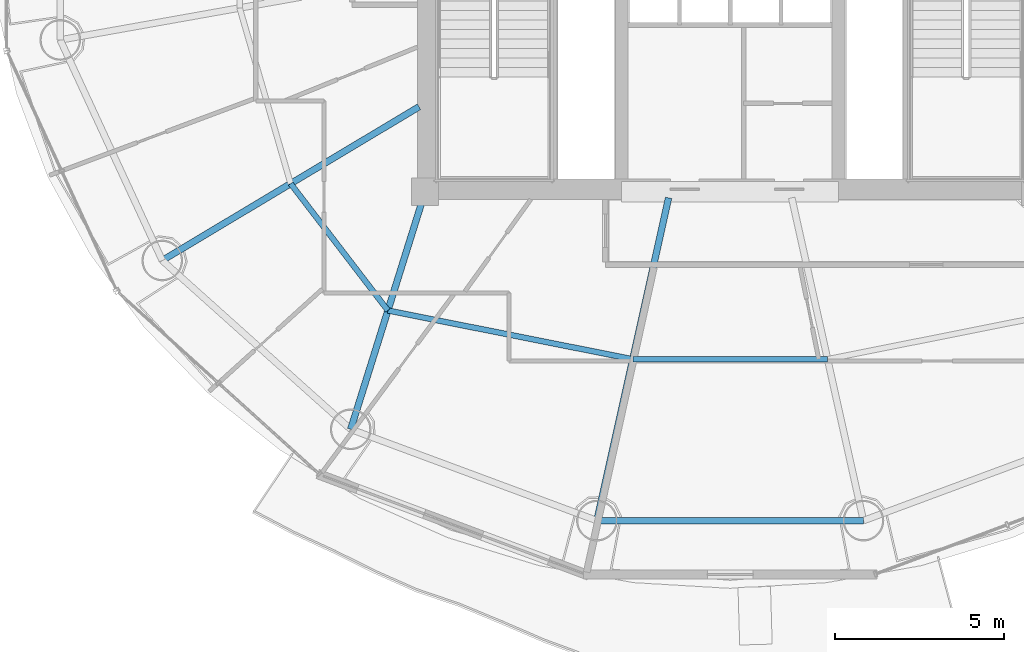
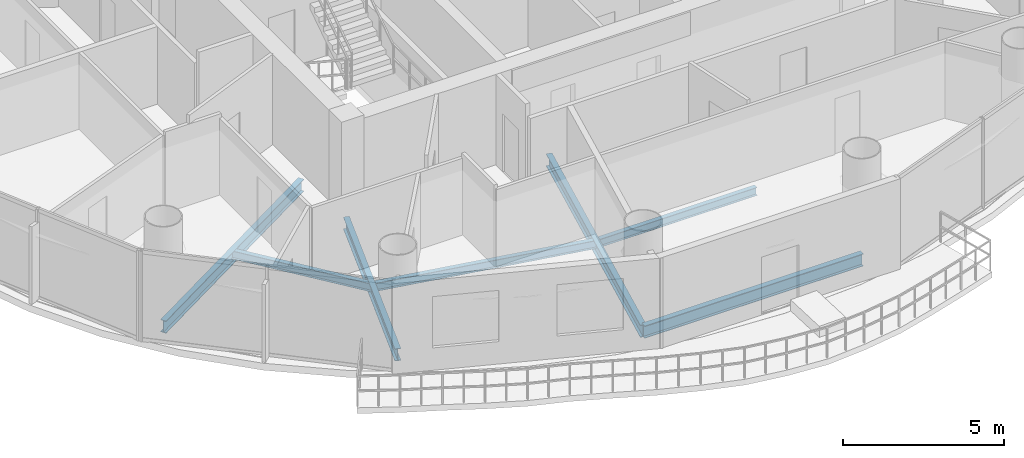
# One storey, part 4 of 26: 7 beams.
"""IFC4 building model written with IfcOpenShell, lengths in metres."""

from ifc_helpers import new_model, si_unit, direction, frame, origin, origin_2d, place, context, subcontext, project, spatial, i_section, extrude, material, material_profile, profile_set, type_object, element, save


model = new_model("IFC4")

# Units and contexts
model_context = context("Model", 3, precision=1e-05, world=origin(), true_north=direction((-0.2419218956, 0.970295726276)))
body_context = subcontext(model_context, "Body", "Model", "MODEL_VIEW")
ifc_project = project(units=[si_unit("LENGTHUNIT", "METRE"), si_unit("AREAUNIT", "SQUARE_METRE"), si_unit("VOLUMEUNIT", "CUBIC_METRE"), si_unit("PLANEANGLEUNIT", "RADIAN"), si_unit("MASSUNIT", "GRAM", prefix="KILO")], contexts=[model_context])

# Site, building, storey
site_placement = place(None, origin())
site = spatial("IfcSite", under=ifc_project, at=site_placement, CompositionType="ELEMENT")
building_placement = place(site_placement, origin())
building = spatial("IfcBuilding", under=site, at=building_placement, Name="Cobrevalo Terracotta Tower", CompositionType="ELEMENT")
storey_placement = place(building_placement, frame((0.0, 0.0, 220.800048828125)))
storey = spatial("IfcBuildingStorey", under=building, at=storey_placement, Name="L58", CompositionType="ELEMENT", Elevation=220.800048828125)

# Beams
ifc_material = material(Name="Steel S355", Category="steel")
ifc_material_profile_1 = material_profile(ifc_material, i_section(OverallWidth=0.194091796875, OverallDepth=0.468994140625, WebThickness=0.011474609375, FlangeThickness=0.0205078125, at=origin_2d()), Name="W 460x106")
ifc_profile_set_1 = profile_set([ifc_material_profile_1], Name="Steel S355")
beam_type_1 = type_object("IfcBeamType", Name="Structural Beam W 460x106 (Steel S355)", PredefinedType="BEAM", material=ifc_profile_set_1)
beam_1_placement = place(storey_placement, frame((21.245849609375, 16.77197265625, -0.49951171875), z_axis=(0.858046392192, 0.513572184651, 0.0), x_axis=(-0.513572184651, 0.858046392192, 0.0)))
element("IfcBeam", 1, at=beam_1_placement, inside=storey, type_object=beam_type_1, Name="L58 radial floor girder 10", PredefinedType="BEAM", context=body_context, shape_type="SweptSolid", body=[
    extrude(i_section(OverallWidth=0.194091796875, OverallDepth=0.468994140625, WebThickness=0.011474609375, FlangeThickness=0.0205078125, at=origin_2d()), origin(), (0.0, 0.0, 1.0), 8.827392578125),
])
beam_2_placement = place(storey_placement, frame((26.80517578125, 11.7919921875, -0.49951171875), z_axis=(0.298871212691, 0.954293454984, 0.0), x_axis=(-0.954293454984, 0.298871212691, 0.0)))
element("IfcBeam", 2, at=beam_2_placement, inside=storey, type_object=beam_type_1, Name="L58 radial floor girder 11", PredefinedType="BEAM", context=body_context, shape_type="SweptSolid", body=[
    extrude(i_section(OverallWidth=0.194091796875, OverallDepth=0.468994140625, WebThickness=0.011474609375, FlangeThickness=0.0205078125, at=origin_2d()), origin(), (0.0, 0.0, 1.0), 7.34375),
])
beam_3_placement = place(storey_placement, frame((34.06884765625, 9.096923828125, -0.49951171875), z_axis=(0.216782061165, 0.976220025382, 0.0), x_axis=(-0.976220025382, 0.216782061165, 0.0)))
element("IfcBeam", 3, at=beam_3_placement, inside=storey, type_object=beam_type_1, Name="L58 radial floor girder 12", PredefinedType="BEAM", context=body_context, shape_type="SweptSolid", body=[
    extrude(i_section(OverallWidth=0.194091796875, OverallDepth=0.468994140625, WebThickness=0.011474609375, FlangeThickness=0.0205078125, at=origin_2d()), origin(), (0.0, 0.0, 1.0), 9.755126953125),
])
ifc_material_profile_2 = material_profile(ifc_material, i_section(OverallWidth=0.1650390625, OverallDepth=0.31005859375, WebThickness=0.005859375, FlangeThickness=0.009765625, at=origin_2d()), Name="W 310x38.7")
ifc_profile_set_2 = profile_set([ifc_material_profile_2], Name="Steel S355")
beam_type_2 = type_object("IfcBeamType", Name="Structural Joist W 310x38.7 (Steel S355)", PredefinedType="JOIST", material=ifc_profile_set_2)
beam_4_placement = place(storey_placement, frame((25.032958984375, 19.03857421875, -0.420166015625), z_axis=(0.608464146296, -0.793581364872, 0.0), x_axis=(0.793581364872, 0.608464146296, 0.0)))
element("IfcBeam", 4, at=beam_4_placement, inside=storey, type_object=beam_type_2, Name="L58 circumferential secondary floor joist 10", PredefinedType="JOIST", context=body_context, shape_type="SweptSolid", body=[
    extrude(i_section(OverallWidth=0.1650390625, OverallDepth=0.31005859375, WebThickness=0.005859375, FlangeThickness=0.009765625, at=origin_2d()), origin(), (0.0, 0.0, 1.0), 4.716064453125),
])
beam_5_placement = place(storey_placement, frame((27.902587890625, 15.2958984375, -0.420166015625), z_axis=(0.980768907748, -0.195172614871, 0.0), x_axis=(0.195172614871, 0.980768907748, 0.0)))
element("IfcBeam", 5, at=beam_5_placement, inside=storey, type_object=beam_type_2, Name="L58 circumferential secondary floor joist 11", PredefinedType="JOIST", context=body_context, shape_type="SweptSolid", body=[
    extrude(i_section(OverallWidth=0.1650390625, OverallDepth=0.31005859375, WebThickness=0.005859375, FlangeThickness=0.009765625, at=origin_2d()), origin(), (0.0, 0.0, 1.0), 7.365234375),
])
beam_6_placement = place(storey_placement, frame((35.126220703125, 13.8583984375, -0.420166015625), z_axis=(1.0, 0.0, 0.0), x_axis=(0.0, 1.0, 0.0)))
element("IfcBeam", 6, at=beam_6_placement, inside=storey, type_object=beam_type_2, Name="L58 circumferential secondary floor joist 12", PredefinedType="JOIST", context=body_context, shape_type="SweptSolid", body=[
    extrude(i_section(OverallWidth=0.1650390625, OverallDepth=0.31005859375, WebThickness=0.005859375, FlangeThickness=0.009765625, at=origin_2d()), origin(), (0.0, 0.0, 1.0), 5.74755859375),
])
ifc_material_profile_3 = material_profile(ifc_material, i_section(OverallWidth=0.194091796875, OverallDepth=0.468994140625, WebThickness=0.011474609375, FlangeThickness=0.0205078125, at=origin_2d()), Name="W 460x106")
ifc_profile_set_3 = profile_set([ifc_material_profile_3], Name="Steel S355")
beam_type_3 = type_object("IfcBeamType", Name="Structural Spandrel W 460x106 (Steel S355)", PredefinedType="SPANDREL", material=ifc_profile_set_3)
beam_7_placement = place(storey_placement, frame((34.06884765625, 9.096923828125, -0.49951171875), z_axis=(1.0, 0.0, 0.0), x_axis=(0.0, 1.0, 0.0)))
element("IfcBeam", 7, at=beam_7_placement, inside=storey, type_object=beam_type_3, Name="L58 perimeter ring spandrel 12", PredefinedType="SPANDREL", context=body_context, shape_type="SweptSolid", body=[
    extrude(i_section(OverallWidth=0.194091796875, OverallDepth=0.468994140625, WebThickness=0.011474609375, FlangeThickness=0.0205078125, at=origin_2d()), origin(), (0.0, 0.0, 1.0), 7.8623046875),
])

save(model, "model.ifc")
